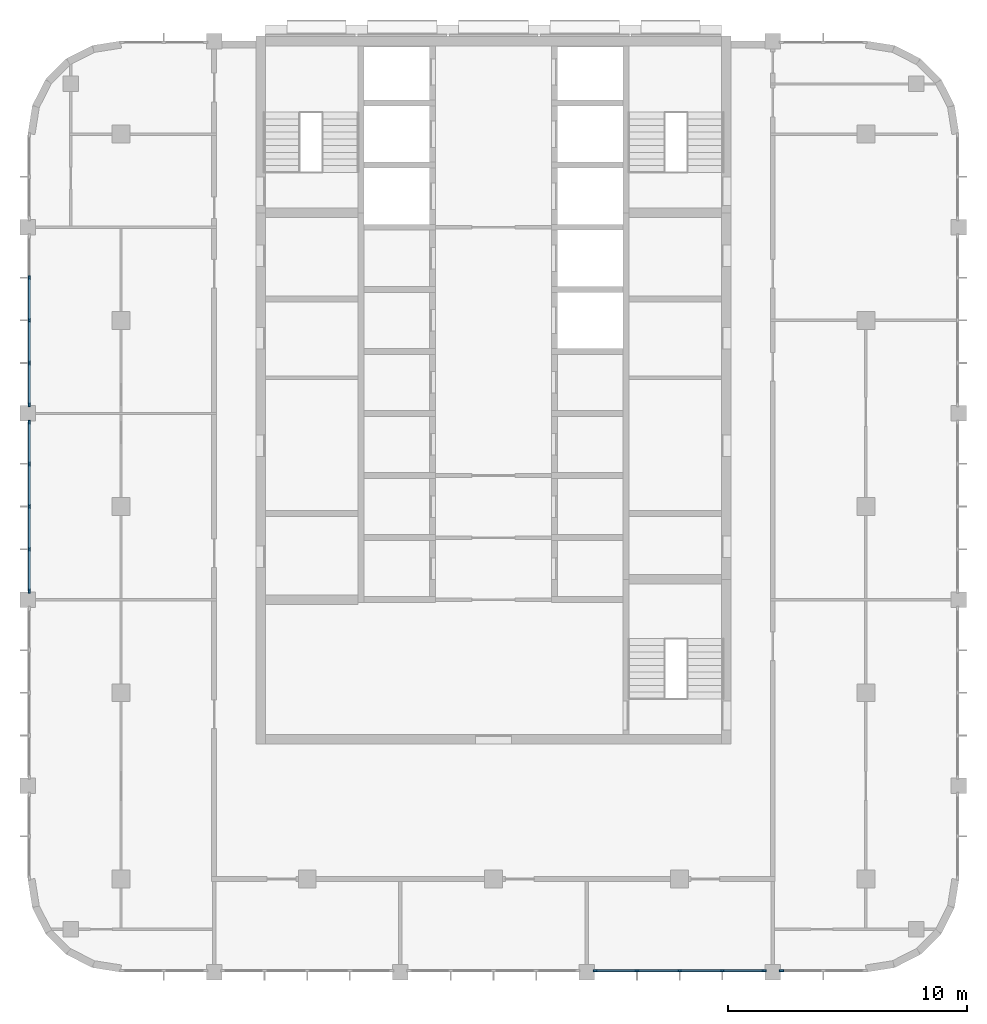
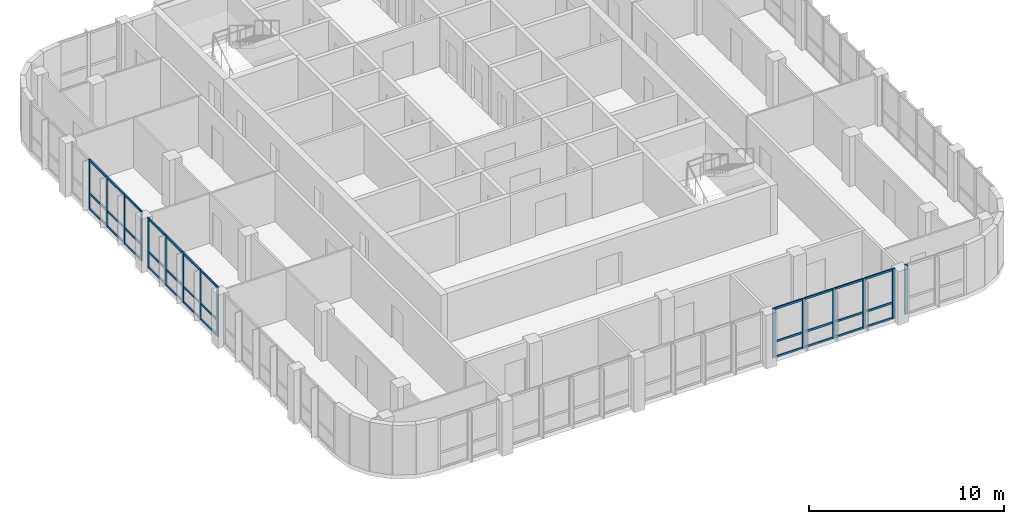
# One storey, part 3 of 17: 48 members, 4 elements without a shape of their own.
"""IFC4 building model written with IfcOpenShell, lengths in metres."""

from ifc_helpers import new_model, si_unit, direction, frame, origin, origin_2d, place, context, subcontext, project, spatial, rectangle, extrude, material, material_profile, profile_set, type_object, element, aggregate, save


model = new_model("IFC4")

# Units and contexts
model_context = context("Model", 3, precision=1e-05, world=origin(), true_north=direction((0.0, 1.0)))
body_context = subcontext(model_context, "Body", "Model", "MODEL_VIEW")
ifc_project = project(units=[si_unit("LENGTHUNIT", "METRE"), si_unit("AREAUNIT", "SQUARE_METRE"), si_unit("VOLUMEUNIT", "CUBIC_METRE"), si_unit("PLANEANGLEUNIT", "RADIAN"), si_unit("MASSUNIT", "GRAM", prefix="KILO")], contexts=[model_context])

# Site, building, storey
site_placement = place(None, origin())
site = spatial("IfcSite", under=ifc_project, at=site_placement, CompositionType="ELEMENT")
building_placement = place(site_placement, origin())
building = spatial("IfcBuilding", under=site, at=building_placement, Name="Ludao Terraces", CompositionType="ELEMENT")
storey_placement = place(building_placement, frame((0.0, 0.0, 263.0)))
storey = spatial("IfcBuildingStorey", under=building, at=storey_placement, Name="L72", CompositionType="ELEMENT", Elevation=263.0)

# Curtain wall, members
ifc_material_1 = material(Name="Aluminium curtain wall with fritted glass", Category="aluminium")
curtain_wall_type = type_object("IfcCurtainWallType", Name="ENV CW4 lounge glazing", PredefinedType="NOTDEFINED", material=ifc_material_1)
curtain_wall_1_placement = place(storey_placement, origin())
curtain_wall_1 = element("IfcCurtainWall", 1, at=curtain_wall_1_placement, inside=storey, type_object=curtain_wall_type, Name="Sky lounge glazing L72 S4", PredefinedType="NOTDEFINED")
ifc_material_2 = material(Name="Aluminium 6063-T6", Category="aluminium")
ifc_material_profile_1 = material_profile(ifc_material_2, rectangle(XDim=0.080078125, YDim=0.179931640625, at=origin_2d()), Name="80 X 180")
ifc_profile_set_1 = profile_set([ifc_material_profile_1], Name="Aluminium 6063-T6")
member_type_1 = type_object("IfcMemberType", Name="ENV CW4 mullion 80x180", PredefinedType="MULLION", material=ifc_profile_set_1)
member_1_placement = place(storey_placement, frame((89.264892578125, 45.56005859375, 0.0), z_axis=(0.0, 0.0, 1.0), x_axis=(0.0, 1.0, 0.0)))
member_1 = element("IfcMember", 2, at=member_1_placement, type_object=member_type_1, Name="CW4 mullion 1", PredefinedType="MULLION", context=body_context, shape_type="SweptSolid", body=[
    extrude(rectangle(XDim=0.080078125, YDim=0.179931640625, at=origin_2d()), origin(), (0.0, 0.0, 1.0), 3.10009765625),
])
member_2_placement = place(storey_placement, frame((91.012451171875, 45.56005859375, 0.0), z_axis=(0.0, 0.0, 1.0), x_axis=(0.0, 1.0, 0.0)))
member_2 = element("IfcMember", 3, at=member_2_placement, type_object=member_type_1, Name="CW4 mullion 2", PredefinedType="MULLION", context=body_context, shape_type="SweptSolid", body=[
    extrude(rectangle(XDim=0.080078125, YDim=0.179931640625, at=origin_2d()), origin(), (0.0, 0.0, 1.0), 3.10009765625),
])
member_3_placement = place(storey_placement, frame((92.800048828125, 45.56005859375, 0.0), z_axis=(0.0, 0.0, 1.0), x_axis=(0.0, 1.0, 0.0)))
member_3 = element("IfcMember", 4, at=member_3_placement, type_object=member_type_1, Name="CW4 mullion 3", PredefinedType="MULLION", context=body_context, shape_type="SweptSolid", body=[
    extrude(rectangle(XDim=0.080078125, YDim=0.179931640625, at=origin_2d()), origin(), (0.0, 0.0, 1.0), 3.10009765625),
])
member_4_placement = place(storey_placement, frame((94.58740234375, 45.56005859375, 0.0), z_axis=(0.0, 0.0, 1.0), x_axis=(0.0, 1.0, 0.0)))
member_4 = element("IfcMember", 5, at=member_4_placement, type_object=member_type_1, Name="CW4 mullion 4", PredefinedType="MULLION", context=body_context, shape_type="SweptSolid", body=[
    extrude(rectangle(XDim=0.080078125, YDim=0.179931640625, at=origin_2d()), origin(), (0.0, 0.0, 1.0), 3.10009765625),
])
member_5_placement = place(storey_placement, frame((96.3349609375, 45.56005859375, 0.0), z_axis=(0.0, 0.0, 1.0), x_axis=(0.0, 1.0, 0.0)))
member_5 = element("IfcMember", 6, at=member_5_placement, type_object=member_type_1, Name="CW4 mullion 5", PredefinedType="MULLION", context=body_context, shape_type="SweptSolid", body=[
    extrude(rectangle(XDim=0.080078125, YDim=0.179931640625, at=origin_2d()), origin(), (0.0, 0.0, 1.0), 3.10009765625),
])

# Curtain wall, member
curtain_wall_2_placement = place(storey_placement, origin())
curtain_wall_2 = element("IfcCurtainWall", 7, at=curtain_wall_2_placement, inside=storey, type_object=curtain_wall_type, Name="Sky lounge glazing L72 S5", PredefinedType="NOTDEFINED")
member_6_placement = place(storey_placement, frame((97.06494140625, 45.56005859375, 0.0), z_axis=(0.0, 0.0, 1.0), x_axis=(0.0, 1.0, 0.0)))
member_6 = element("IfcMember", 8, at=member_6_placement, type_object=member_type_1, Name="CW4 mullion 1", PredefinedType="MULLION", context=body_context, shape_type="SweptSolid", body=[
    extrude(rectangle(XDim=0.080078125, YDim=0.179931640625, at=origin_2d()), origin(), (0.0, 0.0, 1.0), 3.10009765625),
])
aggregate(curtain_wall_2, [member_6])

# Curtain wall, members
curtain_wall_3_placement = place(storey_placement, origin())
curtain_wall_3 = element("IfcCurtainWall", 9, at=curtain_wall_3_placement, inside=storey, type_object=curtain_wall_type, Name="Sky lounge glazing L72 W3", PredefinedType="NOTDEFINED")
member_7_placement = place(storey_placement, frame((65.56005859375, 61.465087890625, 0.0), z_axis=(0.0, 0.0, 1.0), x_axis=(-1.0, 0.0, 0.0)))
member_7 = element("IfcMember", 10, at=member_7_placement, type_object=member_type_1, Name="CW4 mullion 1", PredefinedType="MULLION", context=body_context, shape_type="SweptSolid", body=[
    extrude(rectangle(XDim=0.080078125, YDim=0.179931640625, at=origin_2d()), origin(), (0.0, 0.0, 1.0), 3.10009765625),
])
member_8_placement = place(storey_placement, frame((65.56005859375, 63.21240234375, 0.0), z_axis=(0.0, 0.0, 1.0), x_axis=(-1.0, 0.0, 0.0)))
member_8 = element("IfcMember", 11, at=member_8_placement, type_object=member_type_1, Name="CW4 mullion 2", PredefinedType="MULLION", context=body_context, shape_type="SweptSolid", body=[
    extrude(rectangle(XDim=0.080078125, YDim=0.179931640625, at=origin_2d()), origin(), (0.0, 0.0, 1.0), 3.10009765625),
])
member_9_placement = place(storey_placement, frame((65.56005859375, 65.0, 0.0), z_axis=(0.0, 0.0, 1.0), x_axis=(-1.0, 0.0, 0.0)))
member_9 = element("IfcMember", 12, at=member_9_placement, type_object=member_type_1, Name="CW4 mullion 3", PredefinedType="MULLION", context=body_context, shape_type="SweptSolid", body=[
    extrude(rectangle(XDim=0.080078125, YDim=0.179931640625, at=origin_2d()), origin(), (0.0, 0.0, 1.0), 3.10009765625),
])
member_10_placement = place(storey_placement, frame((65.56005859375, 66.78759765625, 0.0), z_axis=(0.0, 0.0, 1.0), x_axis=(-1.0, 0.0, 0.0)))
member_10 = element("IfcMember", 13, at=member_10_placement, type_object=member_type_1, Name="CW4 mullion 4", PredefinedType="MULLION", context=body_context, shape_type="SweptSolid", body=[
    extrude(rectangle(XDim=0.080078125, YDim=0.179931640625, at=origin_2d()), origin(), (0.0, 0.0, 1.0), 3.10009765625),
])
member_11_placement = place(storey_placement, frame((65.56005859375, 68.534912109375, 0.0), z_axis=(0.0, 0.0, 1.0), x_axis=(-1.0, 0.0, 0.0)))
member_11 = element("IfcMember", 14, at=member_11_placement, type_object=member_type_1, Name="CW4 mullion 5", PredefinedType="MULLION", context=body_context, shape_type="SweptSolid", body=[
    extrude(rectangle(XDim=0.080078125, YDim=0.179931640625, at=origin_2d()), origin(), (0.0, 0.0, 1.0), 3.10009765625),
])

curtain_wall_4_placement = place(storey_placement, origin())
curtain_wall_4 = element("IfcCurtainWall", 15, at=curtain_wall_4_placement, inside=storey, type_object=curtain_wall_type, Name="Sky lounge glazing L72 W4", PredefinedType="NOTDEFINED")
member_12_placement = place(storey_placement, frame((65.56005859375, 69.264892578125, 0.0), z_axis=(0.0, 0.0, 1.0), x_axis=(-1.0, 0.0, 0.0)))
member_12 = element("IfcMember", 16, at=member_12_placement, type_object=member_type_1, Name="CW4 mullion 1", PredefinedType="MULLION", context=body_context, shape_type="SweptSolid", body=[
    extrude(rectangle(XDim=0.080078125, YDim=0.179931640625, at=origin_2d()), origin(), (0.0, 0.0, 1.0), 3.10009765625),
])
member_13_placement = place(storey_placement, frame((65.56005859375, 71.012451171875, 0.0), z_axis=(0.0, 0.0, 1.0), x_axis=(-1.0, 0.0, 0.0)))
member_13 = element("IfcMember", 17, at=member_13_placement, type_object=member_type_1, Name="CW4 mullion 2", PredefinedType="MULLION", context=body_context, shape_type="SweptSolid", body=[
    extrude(rectangle(XDim=0.080078125, YDim=0.179931640625, at=origin_2d()), origin(), (0.0, 0.0, 1.0), 3.10009765625),
])
member_14_placement = place(storey_placement, frame((65.56005859375, 72.800048828125, 0.0), z_axis=(0.0, 0.0, 1.0), x_axis=(-1.0, 0.0, 0.0)))
member_14 = element("IfcMember", 18, at=member_14_placement, type_object=member_type_1, Name="CW4 mullion 3", PredefinedType="MULLION", context=body_context, shape_type="SweptSolid", body=[
    extrude(rectangle(XDim=0.080078125, YDim=0.179931640625, at=origin_2d()), origin(), (0.0, 0.0, 1.0), 3.10009765625),
])
member_15_placement = place(storey_placement, frame((65.56005859375, 74.58740234375, 0.0), z_axis=(0.0, 0.0, 1.0), x_axis=(-1.0, 0.0, 0.0)))
member_15 = element("IfcMember", 19, at=member_15_placement, type_object=member_type_1, Name="CW4 mullion 4", PredefinedType="MULLION", context=body_context, shape_type="SweptSolid", body=[
    extrude(rectangle(XDim=0.080078125, YDim=0.179931640625, at=origin_2d()), origin(), (0.0, 0.0, 1.0), 3.10009765625),
])

# Member
ifc_material_profile_2 = material_profile(ifc_material_2, rectangle(XDim=0.080078125, YDim=0.1201171875, at=origin_2d()), Name="80 X 120")
ifc_profile_set_2 = profile_set([ifc_material_profile_2], Name="Aluminium 6063-T6")
member_type_2 = type_object("IfcMemberType", Name="ENV CW4 transom 80x120", PredefinedType="USERDEFINED", material=ifc_profile_set_2)
member_16_placement = place(storey_placement, frame((89.304931640625, 45.56005859375, 0.0400390625), z_axis=(1.0, 0.0, 0.0), x_axis=(0.0, 1.0, 0.0)))
member_16 = element("IfcMember", 20, at=member_16_placement, type_object=member_type_2, Name="CW4 transom 1.1", ObjectType="TRANSOM", PredefinedType="USERDEFINED", context=body_context, shape_type="SweptSolid", body=[
    extrude(rectangle(XDim=0.080078125, YDim=0.1201171875, at=origin_2d()), origin(), (0.0, 0.0, 1.0), 1.66748046875),
])

member_17_placement = place(storey_placement, frame((89.304931640625, 45.56005859375, 1.0), z_axis=(1.0, 0.0, 0.0), x_axis=(0.0, 1.0, 0.0)))
member_17 = element("IfcMember", 21, at=member_17_placement, type_object=member_type_2, Name="CW4 transom 1.2", ObjectType="TRANSOM", PredefinedType="USERDEFINED", context=body_context, shape_type="SweptSolid", body=[
    extrude(rectangle(XDim=0.080078125, YDim=0.1201171875, at=origin_2d()), origin(), (0.0, 0.0, 1.0), 1.66748046875),
])

member_18_placement = place(storey_placement, frame((89.304931640625, 45.56005859375, 3.06005859375), z_axis=(1.0, 0.0, 0.0), x_axis=(0.0, 1.0, 0.0)))
member_18 = element("IfcMember", 22, at=member_18_placement, type_object=member_type_2, Name="CW4 transom 1.3", ObjectType="TRANSOM", PredefinedType="USERDEFINED", context=body_context, shape_type="SweptSolid", body=[
    extrude(rectangle(XDim=0.080078125, YDim=0.1201171875, at=origin_2d()), origin(), (0.0, 0.0, 1.0), 1.66748046875),
])

member_19_placement = place(storey_placement, frame((91.052490234375, 45.56005859375, 0.0400390625), z_axis=(1.0, 0.0, 0.0), x_axis=(0.0, 1.0, 0.0)))
member_19 = element("IfcMember", 23, at=member_19_placement, type_object=member_type_2, Name="CW4 transom 2.1", ObjectType="TRANSOM", PredefinedType="USERDEFINED", context=body_context, shape_type="SweptSolid", body=[
    extrude(rectangle(XDim=0.080078125, YDim=0.1201171875, at=origin_2d()), origin(), (0.0, 0.0, 1.0), 1.70751953125),
])

member_20_placement = place(storey_placement, frame((91.052490234375, 45.56005859375, 1.0), z_axis=(1.0, 0.0, 0.0), x_axis=(0.0, 1.0, 0.0)))
member_20 = element("IfcMember", 24, at=member_20_placement, type_object=member_type_2, Name="CW4 transom 2.2", ObjectType="TRANSOM", PredefinedType="USERDEFINED", context=body_context, shape_type="SweptSolid", body=[
    extrude(rectangle(XDim=0.080078125, YDim=0.1201171875, at=origin_2d()), origin(), (0.0, 0.0, 1.0), 1.70751953125),
])

member_21_placement = place(storey_placement, frame((91.052490234375, 45.56005859375, 3.06005859375), z_axis=(1.0, 0.0, 0.0), x_axis=(0.0, 1.0, 0.0)))
member_21 = element("IfcMember", 25, at=member_21_placement, type_object=member_type_2, Name="CW4 transom 2.3", ObjectType="TRANSOM", PredefinedType="USERDEFINED", context=body_context, shape_type="SweptSolid", body=[
    extrude(rectangle(XDim=0.080078125, YDim=0.1201171875, at=origin_2d()), origin(), (0.0, 0.0, 1.0), 1.70751953125),
])

member_22_placement = place(storey_placement, frame((92.840087890625, 45.56005859375, 0.0400390625), z_axis=(1.0, 0.0, 0.0), x_axis=(0.0, 1.0, 0.0)))
member_22 = element("IfcMember", 26, at=member_22_placement, type_object=member_type_2, Name="CW4 transom 3.1", ObjectType="TRANSOM", PredefinedType="USERDEFINED", context=body_context, shape_type="SweptSolid", body=[
    extrude(rectangle(XDim=0.080078125, YDim=0.1201171875, at=origin_2d()), origin(), (0.0, 0.0, 1.0), 1.70751953125),
])

member_23_placement = place(storey_placement, frame((92.840087890625, 45.56005859375, 1.0), z_axis=(1.0, 0.0, 0.0), x_axis=(0.0, 1.0, 0.0)))
member_23 = element("IfcMember", 27, at=member_23_placement, type_object=member_type_2, Name="CW4 transom 3.2", ObjectType="TRANSOM", PredefinedType="USERDEFINED", context=body_context, shape_type="SweptSolid", body=[
    extrude(rectangle(XDim=0.080078125, YDim=0.1201171875, at=origin_2d()), origin(), (0.0, 0.0, 1.0), 1.70751953125),
])

member_24_placement = place(storey_placement, frame((92.840087890625, 45.56005859375, 3.06005859375), z_axis=(1.0, 0.0, 0.0), x_axis=(0.0, 1.0, 0.0)))
member_24 = element("IfcMember", 28, at=member_24_placement, type_object=member_type_2, Name="CW4 transom 3.3", ObjectType="TRANSOM", PredefinedType="USERDEFINED", context=body_context, shape_type="SweptSolid", body=[
    extrude(rectangle(XDim=0.080078125, YDim=0.1201171875, at=origin_2d()), origin(), (0.0, 0.0, 1.0), 1.70751953125),
])

member_25_placement = place(storey_placement, frame((94.62744140625, 45.56005859375, 0.0400390625), z_axis=(1.0, 0.0, 0.0), x_axis=(0.0, 1.0, 0.0)))
member_25 = element("IfcMember", 29, at=member_25_placement, type_object=member_type_2, Name="CW4 transom 4.1", ObjectType="TRANSOM", PredefinedType="USERDEFINED", context=body_context, shape_type="SweptSolid", body=[
    extrude(rectangle(XDim=0.080078125, YDim=0.1201171875, at=origin_2d()), origin(), (0.0, 0.0, 1.0), 1.66748046875),
])

member_26_placement = place(storey_placement, frame((94.62744140625, 45.56005859375, 1.0), z_axis=(1.0, 0.0, 0.0), x_axis=(0.0, 1.0, 0.0)))
member_26 = element("IfcMember", 30, at=member_26_placement, type_object=member_type_2, Name="CW4 transom 4.2", ObjectType="TRANSOM", PredefinedType="USERDEFINED", context=body_context, shape_type="SweptSolid", body=[
    extrude(rectangle(XDim=0.080078125, YDim=0.1201171875, at=origin_2d()), origin(), (0.0, 0.0, 1.0), 1.66748046875),
])

member_27_placement = place(storey_placement, frame((94.62744140625, 45.56005859375, 3.06005859375), z_axis=(1.0, 0.0, 0.0), x_axis=(0.0, 1.0, 0.0)))
member_27 = element("IfcMember", 31, at=member_27_placement, type_object=member_type_2, Name="CW4 transom 4.3", ObjectType="TRANSOM", PredefinedType="USERDEFINED", context=body_context, shape_type="SweptSolid", body=[
    extrude(rectangle(XDim=0.080078125, YDim=0.1201171875, at=origin_2d()), origin(), (0.0, 0.0, 1.0), 1.66748046875),
])

aggregate(curtain_wall_1, [member_1, member_2, member_3, member_4, member_5, member_16, member_17, member_18, member_19, member_20, member_21, member_22, member_23, member_24, member_25, member_26, member_27])

member_28_placement = place(storey_placement, frame((65.56005859375, 61.5048828125, 0.0400390625), z_axis=(0.0, 1.0, 0.0), x_axis=(-1.0, 0.0, 0.0)))
member_28 = element("IfcMember", 32, at=member_28_placement, type_object=member_type_2, Name="CW4 transom 1.1", ObjectType="TRANSOM", PredefinedType="USERDEFINED", context=body_context, shape_type="SweptSolid", body=[
    extrude(rectangle(XDim=0.080078125, YDim=0.1201171875, at=origin_2d()), origin(), (0.0, 0.0, 1.0), 1.667724609375),
])

member_29_placement = place(storey_placement, frame((65.56005859375, 61.5048828125, 1.0), z_axis=(0.0, 1.0, 0.0), x_axis=(-1.0, 0.0, 0.0)))
member_29 = element("IfcMember", 33, at=member_29_placement, type_object=member_type_2, Name="CW4 transom 1.2", ObjectType="TRANSOM", PredefinedType="USERDEFINED", context=body_context, shape_type="SweptSolid", body=[
    extrude(rectangle(XDim=0.080078125, YDim=0.1201171875, at=origin_2d()), origin(), (0.0, 0.0, 1.0), 1.667724609375),
])

member_30_placement = place(storey_placement, frame((65.56005859375, 61.5048828125, 3.06005859375), z_axis=(0.0, 1.0, 0.0), x_axis=(-1.0, 0.0, 0.0)))
member_30 = element("IfcMember", 34, at=member_30_placement, type_object=member_type_2, Name="CW4 transom 1.3", ObjectType="TRANSOM", PredefinedType="USERDEFINED", context=body_context, shape_type="SweptSolid", body=[
    extrude(rectangle(XDim=0.080078125, YDim=0.1201171875, at=origin_2d()), origin(), (0.0, 0.0, 1.0), 1.667724609375),
])

member_31_placement = place(storey_placement, frame((65.56005859375, 63.25244140625, 0.0400390625), z_axis=(0.0, 1.0, 0.0), x_axis=(-1.0, 0.0, 0.0)))
member_31 = element("IfcMember", 35, at=member_31_placement, type_object=member_type_2, Name="CW4 transom 2.1", ObjectType="TRANSOM", PredefinedType="USERDEFINED", context=body_context, shape_type="SweptSolid", body=[
    extrude(rectangle(XDim=0.080078125, YDim=0.1201171875, at=origin_2d()), origin(), (0.0, 0.0, 1.0), 1.70751953125),
])

member_32_placement = place(storey_placement, frame((65.56005859375, 63.25244140625, 1.0), z_axis=(0.0, 1.0, 0.0), x_axis=(-1.0, 0.0, 0.0)))
member_32 = element("IfcMember", 36, at=member_32_placement, type_object=member_type_2, Name="CW4 transom 2.2", ObjectType="TRANSOM", PredefinedType="USERDEFINED", context=body_context, shape_type="SweptSolid", body=[
    extrude(rectangle(XDim=0.080078125, YDim=0.1201171875, at=origin_2d()), origin(), (0.0, 0.0, 1.0), 1.70751953125),
])

member_33_placement = place(storey_placement, frame((65.56005859375, 63.25244140625, 3.06005859375), z_axis=(0.0, 1.0, 0.0), x_axis=(-1.0, 0.0, 0.0)))
member_33 = element("IfcMember", 37, at=member_33_placement, type_object=member_type_2, Name="CW4 transom 2.3", ObjectType="TRANSOM", PredefinedType="USERDEFINED", context=body_context, shape_type="SweptSolid", body=[
    extrude(rectangle(XDim=0.080078125, YDim=0.1201171875, at=origin_2d()), origin(), (0.0, 0.0, 1.0), 1.70751953125),
])

member_34_placement = place(storey_placement, frame((65.56005859375, 65.0400390625, 0.0400390625), z_axis=(0.0, 1.0, 0.0), x_axis=(-1.0, 0.0, 0.0)))
member_34 = element("IfcMember", 38, at=member_34_placement, type_object=member_type_2, Name="CW4 transom 3.1", ObjectType="TRANSOM", PredefinedType="USERDEFINED", context=body_context, shape_type="SweptSolid", body=[
    extrude(rectangle(XDim=0.080078125, YDim=0.1201171875, at=origin_2d()), origin(), (0.0, 0.0, 1.0), 1.70751953125),
])

member_35_placement = place(storey_placement, frame((65.56005859375, 65.0400390625, 1.0), z_axis=(0.0, 1.0, 0.0), x_axis=(-1.0, 0.0, 0.0)))
member_35 = element("IfcMember", 39, at=member_35_placement, type_object=member_type_2, Name="CW4 transom 3.2", ObjectType="TRANSOM", PredefinedType="USERDEFINED", context=body_context, shape_type="SweptSolid", body=[
    extrude(rectangle(XDim=0.080078125, YDim=0.1201171875, at=origin_2d()), origin(), (0.0, 0.0, 1.0), 1.70751953125),
])

member_36_placement = place(storey_placement, frame((65.56005859375, 65.0400390625, 3.06005859375), z_axis=(0.0, 1.0, 0.0), x_axis=(-1.0, 0.0, 0.0)))
member_36 = element("IfcMember", 40, at=member_36_placement, type_object=member_type_2, Name="CW4 transom 3.3", ObjectType="TRANSOM", PredefinedType="USERDEFINED", context=body_context, shape_type="SweptSolid", body=[
    extrude(rectangle(XDim=0.080078125, YDim=0.1201171875, at=origin_2d()), origin(), (0.0, 0.0, 1.0), 1.70751953125),
])

member_37_placement = place(storey_placement, frame((65.56005859375, 66.827392578125, 0.0400390625), z_axis=(0.0, 1.0, 0.0), x_axis=(-1.0, 0.0, 0.0)))
member_37 = element("IfcMember", 41, at=member_37_placement, type_object=member_type_2, Name="CW4 transom 4.1", ObjectType="TRANSOM", PredefinedType="USERDEFINED", context=body_context, shape_type="SweptSolid", body=[
    extrude(rectangle(XDim=0.080078125, YDim=0.1201171875, at=origin_2d()), origin(), (0.0, 0.0, 1.0), 1.667724609375),
])

member_38_placement = place(storey_placement, frame((65.56005859375, 66.827392578125, 1.0), z_axis=(0.0, 1.0, 0.0), x_axis=(-1.0, 0.0, 0.0)))
member_38 = element("IfcMember", 42, at=member_38_placement, type_object=member_type_2, Name="CW4 transom 4.2", ObjectType="TRANSOM", PredefinedType="USERDEFINED", context=body_context, shape_type="SweptSolid", body=[
    extrude(rectangle(XDim=0.080078125, YDim=0.1201171875, at=origin_2d()), origin(), (0.0, 0.0, 1.0), 1.667724609375),
])

member_39_placement = place(storey_placement, frame((65.56005859375, 66.827392578125, 3.06005859375), z_axis=(0.0, 1.0, 0.0), x_axis=(-1.0, 0.0, 0.0)))
member_39 = element("IfcMember", 43, at=member_39_placement, type_object=member_type_2, Name="CW4 transom 4.3", ObjectType="TRANSOM", PredefinedType="USERDEFINED", context=body_context, shape_type="SweptSolid", body=[
    extrude(rectangle(XDim=0.080078125, YDim=0.1201171875, at=origin_2d()), origin(), (0.0, 0.0, 1.0), 1.667724609375),
])

aggregate(curtain_wall_3, [member_7, member_8, member_9, member_10, member_11, member_28, member_29, member_30, member_31, member_32, member_33, member_34, member_35, member_36, member_37, member_38, member_39])

member_40_placement = place(storey_placement, frame((65.56005859375, 69.304931640625, 0.0400390625), z_axis=(0.0, 1.0, 0.0), x_axis=(-1.0, 0.0, 0.0)))
member_40 = element("IfcMember", 44, at=member_40_placement, type_object=member_type_2, Name="CW4 transom 1.1", ObjectType="TRANSOM", PredefinedType="USERDEFINED", context=body_context, shape_type="SweptSolid", body=[
    extrude(rectangle(XDim=0.080078125, YDim=0.1201171875, at=origin_2d()), origin(), (0.0, 0.0, 1.0), 1.66748046875),
])

member_41_placement = place(storey_placement, frame((65.56005859375, 69.304931640625, 1.0), z_axis=(0.0, 1.0, 0.0), x_axis=(-1.0, 0.0, 0.0)))
member_41 = element("IfcMember", 45, at=member_41_placement, type_object=member_type_2, Name="CW4 transom 1.2", ObjectType="TRANSOM", PredefinedType="USERDEFINED", context=body_context, shape_type="SweptSolid", body=[
    extrude(rectangle(XDim=0.080078125, YDim=0.1201171875, at=origin_2d()), origin(), (0.0, 0.0, 1.0), 1.66748046875),
])

member_42_placement = place(storey_placement, frame((65.56005859375, 69.304931640625, 3.06005859375), z_axis=(0.0, 1.0, 0.0), x_axis=(-1.0, 0.0, 0.0)))
member_42 = element("IfcMember", 46, at=member_42_placement, type_object=member_type_2, Name="CW4 transom 1.3", ObjectType="TRANSOM", PredefinedType="USERDEFINED", context=body_context, shape_type="SweptSolid", body=[
    extrude(rectangle(XDim=0.080078125, YDim=0.1201171875, at=origin_2d()), origin(), (0.0, 0.0, 1.0), 1.66748046875),
])

member_43_placement = place(storey_placement, frame((65.56005859375, 71.052490234375, 0.0400390625), z_axis=(0.0, 1.0, 0.0), x_axis=(-1.0, 0.0, 0.0)))
member_43 = element("IfcMember", 47, at=member_43_placement, type_object=member_type_2, Name="CW4 transom 2.1", ObjectType="TRANSOM", PredefinedType="USERDEFINED", context=body_context, shape_type="SweptSolid", body=[
    extrude(rectangle(XDim=0.080078125, YDim=0.1201171875, at=origin_2d()), origin(), (0.0, 0.0, 1.0), 1.70751953125),
])

member_44_placement = place(storey_placement, frame((65.56005859375, 71.052490234375, 1.0), z_axis=(0.0, 1.0, 0.0), x_axis=(-1.0, 0.0, 0.0)))
member_44 = element("IfcMember", 48, at=member_44_placement, type_object=member_type_2, Name="CW4 transom 2.2", ObjectType="TRANSOM", PredefinedType="USERDEFINED", context=body_context, shape_type="SweptSolid", body=[
    extrude(rectangle(XDim=0.080078125, YDim=0.1201171875, at=origin_2d()), origin(), (0.0, 0.0, 1.0), 1.70751953125),
])

member_45_placement = place(storey_placement, frame((65.56005859375, 71.052490234375, 3.06005859375), z_axis=(0.0, 1.0, 0.0), x_axis=(-1.0, 0.0, 0.0)))
member_45 = element("IfcMember", 49, at=member_45_placement, type_object=member_type_2, Name="CW4 transom 2.3", ObjectType="TRANSOM", PredefinedType="USERDEFINED", context=body_context, shape_type="SweptSolid", body=[
    extrude(rectangle(XDim=0.080078125, YDim=0.1201171875, at=origin_2d()), origin(), (0.0, 0.0, 1.0), 1.70751953125),
])

member_46_placement = place(storey_placement, frame((65.56005859375, 72.840087890625, 0.0400390625), z_axis=(0.0, 1.0, 0.0), x_axis=(-1.0, 0.0, 0.0)))
member_46 = element("IfcMember", 50, at=member_46_placement, type_object=member_type_2, Name="CW4 transom 3.1", ObjectType="TRANSOM", PredefinedType="USERDEFINED", context=body_context, shape_type="SweptSolid", body=[
    extrude(rectangle(XDim=0.080078125, YDim=0.1201171875, at=origin_2d()), origin(), (0.0, 0.0, 1.0), 1.70751953125),
])

member_47_placement = place(storey_placement, frame((65.56005859375, 72.840087890625, 1.0), z_axis=(0.0, 1.0, 0.0), x_axis=(-1.0, 0.0, 0.0)))
member_47 = element("IfcMember", 51, at=member_47_placement, type_object=member_type_2, Name="CW4 transom 3.2", ObjectType="TRANSOM", PredefinedType="USERDEFINED", context=body_context, shape_type="SweptSolid", body=[
    extrude(rectangle(XDim=0.080078125, YDim=0.1201171875, at=origin_2d()), origin(), (0.0, 0.0, 1.0), 1.70751953125),
])

member_48_placement = place(storey_placement, frame((65.56005859375, 72.840087890625, 3.06005859375), z_axis=(0.0, 1.0, 0.0), x_axis=(-1.0, 0.0, 0.0)))
member_48 = element("IfcMember", 52, at=member_48_placement, type_object=member_type_2, Name="CW4 transom 3.3", ObjectType="TRANSOM", PredefinedType="USERDEFINED", context=body_context, shape_type="SweptSolid", body=[
    extrude(rectangle(XDim=0.080078125, YDim=0.1201171875, at=origin_2d()), origin(), (0.0, 0.0, 1.0), 1.70751953125),
])

aggregate(curtain_wall_4, [member_12, member_13, member_14, member_15, member_40, member_41, member_42, member_43, member_44, member_45, member_46, member_47, member_48])

save(model, "model.ifc")
